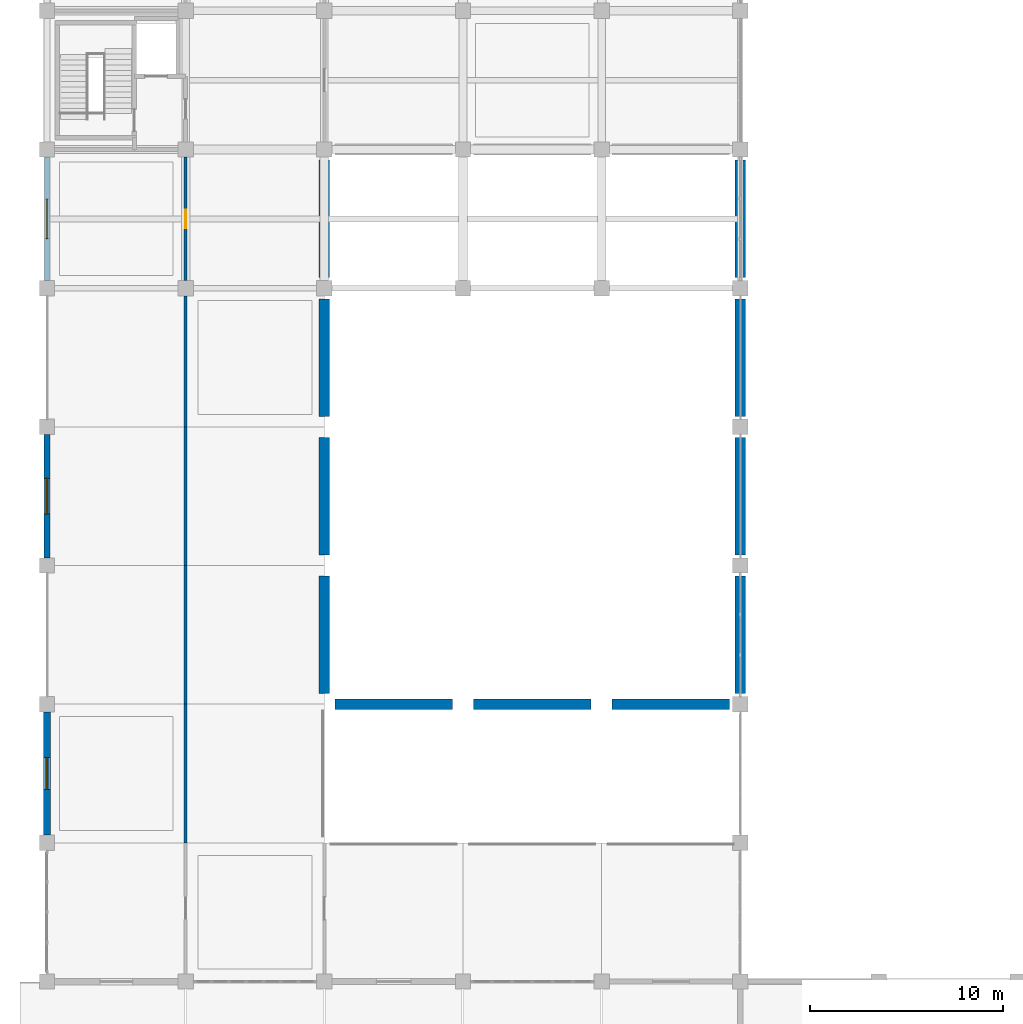
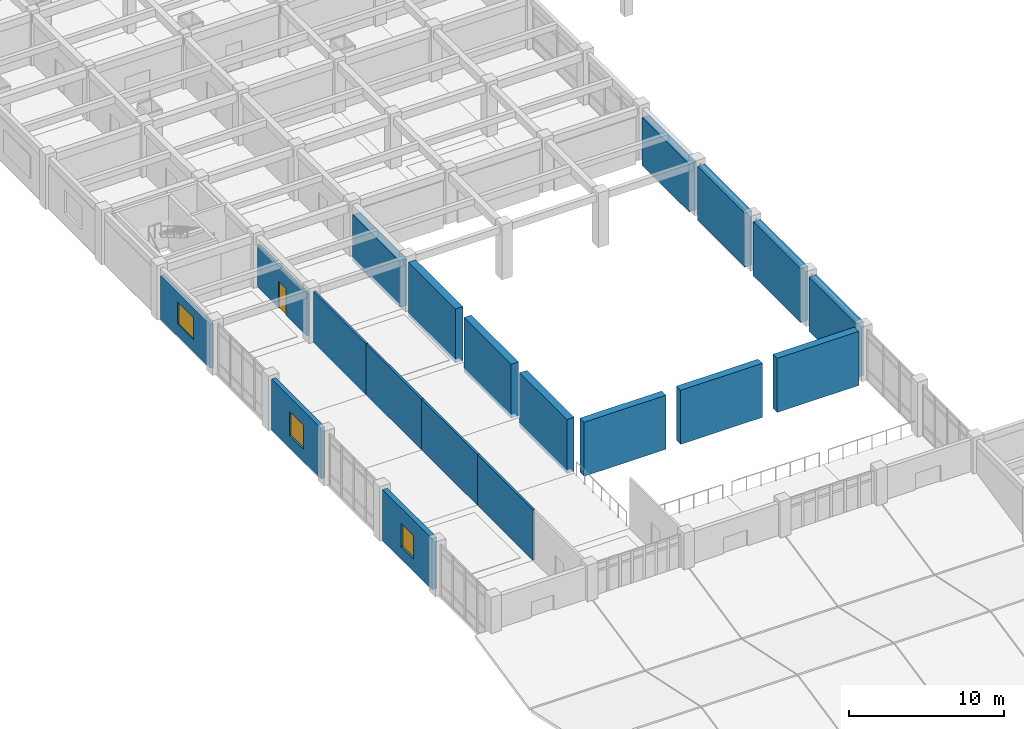
# One storey, part 51 of 70: 19 walls, 3 windows, 1 door, 4 openings.
"""IFC4 building model written with IfcOpenShell, lengths in metres."""

from ifc_helpers import new_model, si_unit, direction, frame, frame_2d, origin, place, context, subcontext, project, spatial, rectangle, extrude, material, layer, layer_set, type_object, element, fill, save


model = new_model("IFC4")

# Units and contexts
model_context = context("Model", 3, precision=1e-05, world=origin(), true_north=direction((0.0, 1.0)))
body_context = subcontext(model_context, "Body", "Model", "MODEL_VIEW")
ifc_project = project(units=[si_unit("LENGTHUNIT", "METRE"), si_unit("AREAUNIT", "SQUARE_METRE"), si_unit("VOLUMEUNIT", "CUBIC_METRE"), si_unit("PLANEANGLEUNIT", "RADIAN"), si_unit("MASSUNIT", "GRAM", prefix="KILO")], contexts=[model_context])

# Site, building, storey
site_placement = place(None, origin())
site = spatial("IfcSite", under=ifc_project, at=site_placement, CompositionType="ELEMENT")
building_placement = place(site_placement, origin())
building = spatial("IfcBuilding", under=site, at=building_placement, Name="Kavelor Marine Aquarium", CompositionType="ELEMENT")
storey_placement = place(building_placement, frame((0.0, 0.0, 9.179931640625)))
storey = spatial("IfcBuildingStorey", under=building, at=storey_placement, Name="L02", CompositionType="ELEMENT", Elevation=9.179931640625)

# Wall, opening, window
ifc_material_1 = material(Name="Concrete C45/55", Category="concrete")
ifc_layer_1 = layer(ifc_material_1, 0.360107421875)
ifc_layer_set_1 = layer_set([ifc_layer_1], Name="WL-EX1")
wall_type_1 = type_object("IfcWallType", Name="WL-EX1", PredefinedType="STANDARD", material=ifc_layer_set_1)
wall_1_placement = place(storey_placement, frame((3.199951171875, 31.9951171875, 0.0), z_axis=(0.0, 0.0, 1.0), x_axis=(0.0, 1.0, 0.0)))
wall_1 = element("IfcWall", 1, at=wall_1_placement, inside=storey, type_object=wall_type_1, Name="ew:y:L02:00_04", PredefinedType="STANDARD", context=body_context, shape_type="SweptSolid", body=[
    extrude(rectangle(XDim=6.409912109375, YDim=0.360107421875, at=frame_2d((3.205078125, 0.0))), origin(), (0.0, 0.0, 1.0), 4.02001953125),
])
opening_1_placement = place(wall_1_placement, frame((2.3798828125, 0.0, 0.949951171875)))
opening_1 = element("IfcOpeningElement", 2, at=opening_1_placement, cuts=wall_1, Name="Opening W39", PredefinedType="OPENING", context=body_context, shape_type="SweptSolid", body=[
    extrude(rectangle(XDim=1.64990234375, YDim=1.85009765625, at=frame_2d((0.824951171875, 0.925048828125))), frame((0.0, 0.18994140625, 0.0), z_axis=(0.0, -1.0, 0.0), x_axis=(1.0, 0.0, 0.0)), (0.0, 0.0, 1.0), 0.380107),
])
ifc_material_2 = material(Name="Anodised Aluminium Frame with Low-E Double Glazing", Category="aluminium")
window_type_1 = type_object("IfcWindowType", Name="WIN-W39", PartitioningType="SINGLE_PANEL", PredefinedType="WINDOW", material=ifc_material_2)
window_1_placement = place(opening_1_placement, origin())
window_1 = element("IfcWindow", 3, at=window_1_placement, inside=storey, type_object=window_type_1, Name="win:y:L02:00_04", OverallHeight=1.85009765625, OverallWidth=1.64990234375, PartitioningType="SINGLE_PANEL", PredefinedType="WINDOW", context=body_context, shape_type="SweptSolid", body=[
    extrude(rectangle(XDim=1.64990234375, YDim=1.85009765625, at=frame_2d((0.824951171875, 0.925048828125))), frame((0.0, 0.030029296875, 0.0), z_axis=(0.0, -1.0, 0.0), x_axis=(1.0, 0.0, 0.0)), (0.0, 0.0, 1.0), 0.06005859375),
])
fill(opening_1, window_1)

ifc_material_3 = material(Name="Concrete C40/50", Category="concrete")
ifc_layer_2 = layer(ifc_material_3, 0.300048828125)
ifc_layer_set_2 = layer_set([ifc_layer_2], Name="WL-EX3")
wall_type_2 = type_object("IfcWallType", Name="WL-EX3", PredefinedType="STANDARD", material=ifc_layer_set_2)
wall_2_placement = place(storey_placement, frame((3.199951171875, 46.39501953125, 0.0), z_axis=(0.0, 0.0, 1.0), x_axis=(0.0, 1.0, 0.0)))
wall_2 = element("IfcWall", 4, at=wall_2_placement, inside=storey, type_object=wall_type_2, Name="ew:y:L02:00_06", PredefinedType="STANDARD", context=body_context, shape_type="SweptSolid", body=[
    extrude(rectangle(XDim=6.409912109375, YDim=0.300048828125, at=frame_2d((3.205078125, 0.0))), origin(), (0.0, 0.0, 1.0), 4.02001953125),
])
opening_2_placement = place(wall_2_placement, frame((2.280029296875, 0.0, 0.949951171875)))
opening_2 = element("IfcOpeningElement", 5, at=opening_2_placement, cuts=wall_2, Name="Opening W40", PredefinedType="OPENING", context=body_context, shape_type="SweptSolid", body=[
    extrude(rectangle(XDim=1.85009765625, YDim=1.89990234375, at=frame_2d((0.925048828125, 0.949951171875))), frame((0.0, 0.159912109375, 0.0), z_axis=(0.0, -1.0, 0.0), x_axis=(1.0, 0.0, 0.0)), (0.0, 0.0, 1.0), 0.320049),
])
ifc_material_4 = material(Name="Anodised Aluminium Frame with Low-E Double Glazing", Category="aluminium")
window_type_2 = type_object("IfcWindowType", Name="WIN-W40", PartitioningType="DOUBLE_PANEL_VERTICAL", PredefinedType="WINDOW", material=ifc_material_4)
window_2_placement = place(opening_2_placement, origin())
window_2 = element("IfcWindow", 6, at=window_2_placement, inside=storey, type_object=window_type_2, Name="win:y:L02:00_06", OverallHeight=1.89990234375, OverallWidth=1.85009765625, PartitioningType="SINGLE_PANEL", PredefinedType="WINDOW", context=body_context, shape_type="SweptSolid", body=[
    extrude(rectangle(XDim=1.85009765625, YDim=1.89990234375, at=frame_2d((0.925048828125, 0.949951171875))), frame((0.0, 0.030029296875, 0.0), z_axis=(0.0, -1.0, 0.0), x_axis=(1.0, 0.0, 0.0)), (0.0, 0.0, 1.0), 0.06005859375),
])
fill(opening_2, window_2)

ifc_material_5 = material(Name="Concrete C40/50", Category="concrete")
ifc_layer_3 = layer(ifc_material_5, 0.260009765625)
ifc_layer_set_3 = layer_set([ifc_layer_3], Name="WL-EX5")
wall_type_3 = type_object("IfcWallType", Name="WL-EX5", PredefinedType="STANDARD", material=ifc_layer_set_3)
wall_3_placement = place(storey_placement, frame((3.199951171875, 60.794921875, 0.0), z_axis=(0.0, 0.0, 1.0), x_axis=(0.0, 1.0, 0.0)))
wall_3 = element("IfcWall", 7, at=wall_3_placement, inside=storey, type_object=wall_type_3, Name="ew:y:L02:00_08", PredefinedType="STANDARD", context=body_context, shape_type="SweptSolid", body=[
    extrude(rectangle(XDim=6.41015625, YDim=0.260009765625, at=frame_2d((3.205078125, 0.0))), origin(), (0.0, 0.0, 1.0), 3.4599609375),
])
opening_3_placement = place(wall_3_placement, frame((2.179931640625, 0.0, 0.949951171875)))
opening_3 = element("IfcOpeningElement", 8, at=opening_3_placement, cuts=wall_3, Name="Opening W41", PredefinedType="OPENING", context=body_context, shape_type="SweptSolid", body=[
    extrude(rectangle(XDim=2.050048828125, YDim=1.75, at=frame_2d((1.02490234375, 0.875))), frame((0.0, 0.139892578125, 0.0), z_axis=(0.0, -1.0, 0.0), x_axis=(1.0, 0.0, 0.0)), (0.0, 0.0, 1.0), 0.28001),
])
ifc_material_6 = material(Name="Anodised Aluminium Frame with Low-E Double Glazing", Category="aluminium")
window_type_3 = type_object("IfcWindowType", Name="WIN-W41", PartitioningType="DOUBLE_PANEL_VERTICAL", PredefinedType="WINDOW", material=ifc_material_6)
window_3_placement = place(opening_3_placement, origin())
window_3 = element("IfcWindow", 9, at=window_3_placement, inside=storey, type_object=window_type_3, Name="win:y:L02:00_08", OverallHeight=1.75, OverallWidth=2.050048828125, PartitioningType="SINGLE_PANEL", PredefinedType="WINDOW", context=body_context, shape_type="SweptSolid", body=[
    extrude(rectangle(XDim=2.050048828125, YDim=1.75, at=frame_2d((1.02490234375, 0.875))), frame((0.0, 0.030029296875, 0.0), z_axis=(0.0, -1.0, 0.0), x_axis=(1.0, 0.0, 0.0)), (0.0, 0.0, 1.0), 0.06005859375),
])
fill(opening_3, window_3)

# Walls
ifc_material_7 = material(Name="Acoustic Gypsum Stud Partition")
ifc_layer_4 = layer(ifc_material_7, 0.159912109375)
ifc_layer_set_4 = layer_set([ifc_layer_4], Name="WL-PT2")
wall_type_4 = type_object("IfcWallType", Name="WL-PT2", PredefinedType="PARTITIONING", material=ifc_layer_set_4)
for number, where, z_axis, x_axis, name in (
    (10, (10.39990234375, 31.60009765625, 0.0), (0.0, 0.0, 1.0), (0.0, 1.0, 0.0), "pt:y:L02:00_04"),
    (11, (10.39990234375, 38.800048828125, 0.0), (0.0, 0.0, 1.0), (0.0, 1.0, 0.0), "pt:y:L02:00_05"),
    (12, (10.39990234375, 46.0, 0.0), (0.0, 0.0, 1.0), (0.0, 1.0, 0.0), "pt:y:L02:00_06"),
):
    element("IfcWall", number, at=place(storey_placement, frame(where, z_axis=z_axis, x_axis=x_axis)), inside=storey, type_object=wall_type_4, Name=name, PredefinedType="PARTITIONING", context=body_context, shape_type="SweptSolid", body=[
        extrude(rectangle(XDim=7.199951171875, YDim=0.159912109375, at=frame_2d((3.60009765625, 0.0))), origin(), (0.0, 0.0, 1.0), 4.0),
    ])
wall_4_placement = place(storey_placement, frame((10.39990234375, 53.199951171875, 0.0), z_axis=(0.0, 0.0, 1.0), x_axis=(0.0, 1.0, 0.0)))
element("IfcWall", 13, at=wall_4_placement, inside=storey, type_object=wall_type_4, Name="pt:y:L02:00_07", PredefinedType="PARTITIONING", context=body_context, shape_type="SweptSolid", body=[
    extrude(rectangle(XDim=6.800048828125, YDim=0.159912109375, at=frame_2d((3.39990234375, 0.0))), origin(), (0.0, 0.0, 1.0), 4.0),
])

# Wall, opening, door
wall_5_placement = place(storey_placement, frame((10.39990234375, 60.800048828125, 0.0), z_axis=(0.0, 0.0, 1.0), x_axis=(0.0, 1.0, 0.0)))
wall_5 = element("IfcWall", 14, at=wall_5_placement, inside=storey, type_object=wall_type_4, Name="pt:y:L02:00_08", PredefinedType="PARTITIONING", context=body_context, shape_type="SweptSolid", body=[
    extrude(rectangle(XDim=6.39990234375, YDim=0.159912109375, at=frame_2d((3.199951171875, 0.0))), origin(), (0.0, 0.0, 1.0), 3.360107421875),
])
opening_4_placement = place(wall_5_placement, frame((2.719970703125, 0.0, 0.0)))
opening_4 = element("IfcOpeningElement", 15, at=opening_4_placement, cuts=wall_5, Name="Opening D01", PredefinedType="OPENING", context=body_context, shape_type="SweptSolid", body=[
    extrude(rectangle(XDim=0.9599609375, YDim=2.10009765625, at=frame_2d((0.47998046875, 1.050048828125))), frame((0.0, 0.08984375, 0.0), z_axis=(0.0, -1.0, 0.0), x_axis=(1.0, 0.0, 0.0)), (0.0, 0.0, 1.0), 0.179912),
])
ifc_material_8 = material(Name="Solid-Core Acoustic Timber Laboratory Door", Category="wood")
door_type = type_object("IfcDoorType", Name="DR-D01", OperationType="NOTDEFINED", PredefinedType="DOOR", material=ifc_material_8)
door_placement = place(opening_4_placement, origin())
door = element("IfcDoor", 16, at=door_placement, inside=storey, type_object=door_type, Name="dr:rm:pt:y:L02:00_08:1", OperationType="SINGLE_SWING_RIGHT", OverallHeight=2.10009765625, OverallWidth=0.9599609375, PredefinedType="DOOR", context=body_context, shape_type="SweptSolid", body=[
    extrude(rectangle(XDim=0.9599609375, YDim=2.10009765625, at=frame_2d((0.47998046875, 1.050048828125))), frame((0.0, 0.02490234375, 0.0), z_axis=(0.0, -1.0, 0.0), x_axis=(1.0, 0.0, 0.0)), (0.0, 0.0, 1.0), 0.050048828125),
])
fill(opening_4, door)

# Walls
ifc_material_9 = material(Name="Concrete C45/55", Category="concrete")
ifc_layer_5 = layer(ifc_material_9, 0.550048828125)
ifc_layer_set_5 = layer_set([ifc_layer_5], Name="WL-TK2")
wall_type_5 = type_object("IfcWallType", Name="WL-TK2", PredefinedType="SHEAR", material=ifc_layer_set_5)
wall_6_placement = place(storey_placement, frame((18.14990234375, 38.800048828125, -0.300048828125), z_axis=(0.0, 0.0, 1.0), x_axis=(1.0, 0.0, 0.0)))
element("IfcWall", 17, at=wall_6_placement, inside=storey, type_object=wall_type_5, Name="tkw:x:L02:02_05", PredefinedType="SHEAR", context=body_context, shape_type="SweptSolid", body=[
    extrude(rectangle(XDim=6.10009765625, YDim=0.550048828125, at=frame_2d((3.050048828125, 0.0))), origin(), (0.0, 0.0, 1.0), 4.27001953125),
])
for number, where, z_axis, x_axis, name in (
    (18, (25.35009765625, 38.800048828125, -0.300048828125), (0.0, 0.0, 1.0), (1.0, 0.0, 0.0), "tkw:x:L02:03_05"),
    (19, (32.550048828125, 38.800048828125, -0.300048828125), (0.0, 0.0, 1.0), (1.0, 0.0, 0.0), "tkw:x:L02:04_05"),
    (20, (17.60009765625, 39.35009765625, -0.300048828125), (0.0, 0.0, 1.0), (0.0, 1.0, 0.0), "tkw:y:L02:02_05"),
    (21, (17.60009765625, 46.550048828125, -0.300048828125), (0.0, 0.0, 1.0), (0.0, 1.0, 0.0), "tkw:y:L02:02_06"),
):
    element("IfcWall", number, at=place(storey_placement, frame(where, z_axis=z_axis, x_axis=x_axis)), inside=storey, type_object=wall_type_5, Name=name, PredefinedType="SHEAR", context=body_context, shape_type="SweptSolid", body=[
        extrude(rectangle(XDim=6.099853515625, YDim=0.550048828125, at=frame_2d((3.0498046875, 0.0))), origin(), (0.0, 0.0, 1.0), 4.27001953125),
    ])
wall_7_placement = place(storey_placement, frame((17.60009765625, 53.75, -0.300048828125), z_axis=(0.0, 0.0, 1.0), x_axis=(0.0, 1.0, 0.0)))
element("IfcWall", 22, at=wall_7_placement, inside=storey, type_object=wall_type_5, Name="tkw:y:L02:02_07", PredefinedType="SHEAR", context=body_context, shape_type="SweptSolid", body=[
    extrude(rectangle(XDim=6.10009765625, YDim=0.550048828125, at=frame_2d((3.050048828125, 0.0))), origin(), (0.0, 0.0, 1.0), 4.27001953125),
])
wall_8_placement = place(storey_placement, frame((17.60009765625, 60.949951171875, -0.300048828125), z_axis=(0.0, 0.0, 1.0), x_axis=(0.0, 1.0, 0.0)))
element("IfcWall", 23, at=wall_8_placement, inside=storey, type_object=wall_type_5, Name="tkw:y:L02:02_08", PredefinedType="SHEAR", context=body_context, shape_type="SweptSolid", body=[
    extrude(rectangle(XDim=6.10009765625, YDim=0.550048828125, at=frame_2d((3.050048828125, 0.0))), origin(), (0.0, 0.0, 1.0), 3.670166015625),
])
for number, where, z_axis, x_axis, name in (
    (24, (39.199951171875, 39.35009765625, -0.300048828125), (0.0, 0.0, 1.0), (0.0, 1.0, 0.0), "tkw:y:L02:05_05"),
    (25, (39.199951171875, 46.550048828125, -0.300048828125), (0.0, 0.0, 1.0), (0.0, 1.0, 0.0), "tkw:y:L02:05_06"),
):
    element("IfcWall", number, at=place(storey_placement, frame(where, z_axis=z_axis, x_axis=x_axis)), inside=storey, type_object=wall_type_5, Name=name, PredefinedType="SHEAR", context=body_context, shape_type="SweptSolid", body=[
        extrude(rectangle(XDim=6.099853515625, YDim=0.550048828125, at=frame_2d((3.0498046875, 0.0))), origin(), (0.0, 0.0, 1.0), 4.27001953125),
    ])
wall_9_placement = place(storey_placement, frame((39.199951171875, 53.75, -0.300048828125), z_axis=(0.0, 0.0, 1.0), x_axis=(0.0, 1.0, 0.0)))
element("IfcWall", 26, at=wall_9_placement, inside=storey, type_object=wall_type_5, Name="tkw:y:L02:05_07", PredefinedType="SHEAR", context=body_context, shape_type="SweptSolid", body=[
    extrude(rectangle(XDim=6.10009765625, YDim=0.550048828125, at=frame_2d((3.050048828125, 0.0))), origin(), (0.0, 0.0, 1.0), 4.27001953125),
])
wall_10_placement = place(storey_placement, frame((39.199951171875, 60.949951171875, -0.300048828125), z_axis=(0.0, 0.0, 1.0), x_axis=(0.0, 1.0, 0.0)))
element("IfcWall", 27, at=wall_10_placement, inside=storey, type_object=wall_type_5, Name="tkw:y:L02:05_08", PredefinedType="SHEAR", context=body_context, shape_type="SweptSolid", body=[
    extrude(rectangle(XDim=6.10009765625, YDim=0.550048828125, at=frame_2d((3.050048828125, 0.0))), origin(), (0.0, 0.0, 1.0), 3.77001953125),
])

save(model, "model.ifc")
